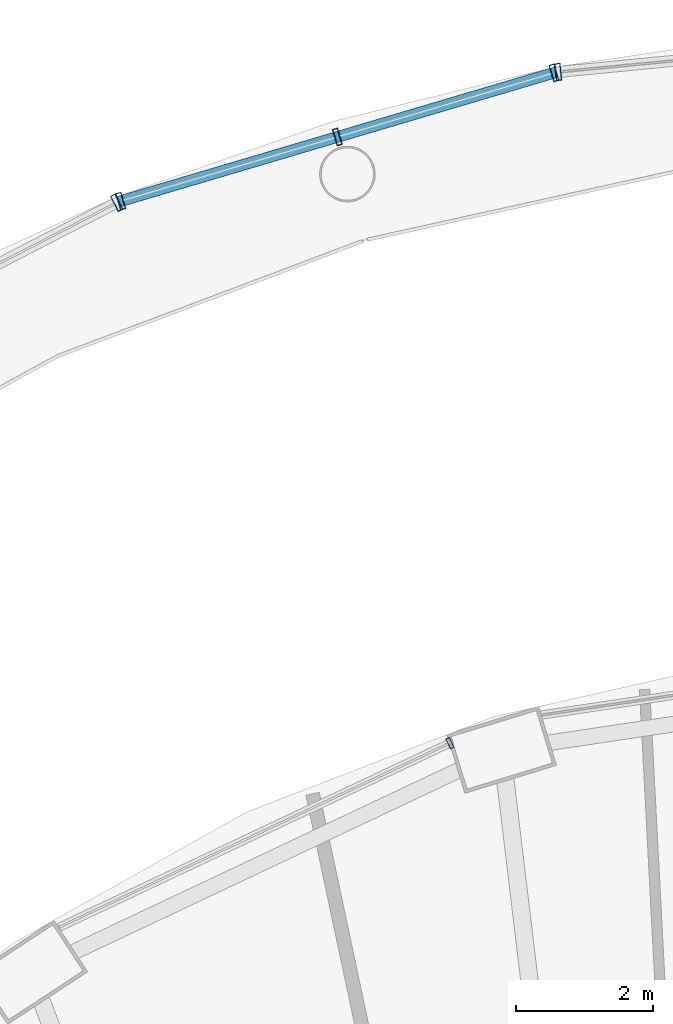
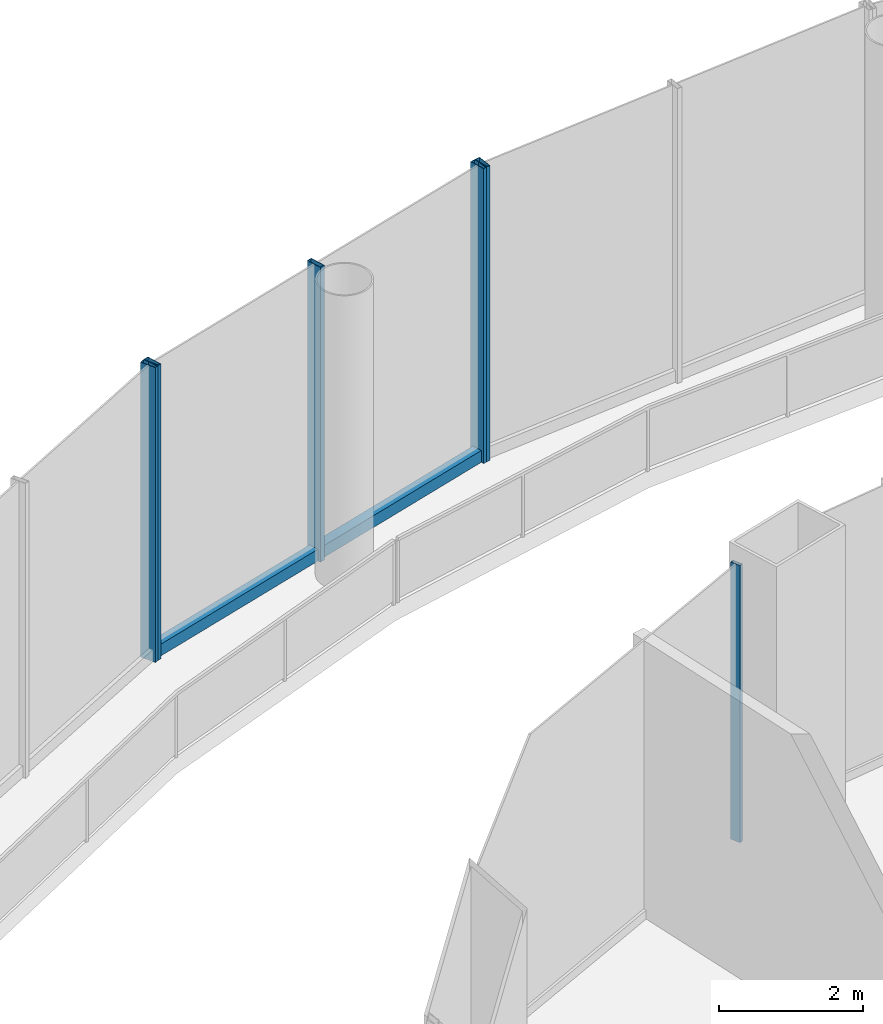
# One storey, part 32 of 48: 7 members, 4 elements without a shape of their own.
"""IFC4 building model written with IfcOpenShell, lengths in metres."""

from ifc_helpers import new_model, si_unit, direction, frame, origin, origin_2d, place, context, subcontext, project, spatial, hollow_rectangle, extrude, material, layer, layer_set, material_profile, profile_set, type_object, element, aggregate, save


model = new_model("IFC4")

# Units and contexts
model_context = context("Model", 3, precision=1e-05, world=origin(), true_north=direction((0.0, 1.0)))
body_context = subcontext(model_context, "Body", "Model", "MODEL_VIEW")
ifc_project = project(units=[si_unit("LENGTHUNIT", "METRE"), si_unit("AREAUNIT", "SQUARE_METRE"), si_unit("VOLUMEUNIT", "CUBIC_METRE"), si_unit("PLANEANGLEUNIT", "RADIAN"), si_unit("MASSUNIT", "GRAM", prefix="KILO")], contexts=[model_context])

# Site, building, storey
site_placement = place(None, origin())
site = spatial("IfcSite", under=ifc_project, at=site_placement, CompositionType="ELEMENT")
building_placement = place(site_placement, origin())
building = spatial("IfcBuilding", under=site, at=building_placement, Name="Nagisa Residences", CompositionType="ELEMENT")
storey_placement = place(building_placement, frame((0.0, 0.0, 12.0)))
storey = spatial("IfcBuildingStorey", under=building, at=storey_placement, Name="L02", CompositionType="ELEMENT", Elevation=12.0)

# Curtain wall, member
ifc_material_1 = material(Name="Stainless steel curtain wall system", Category="steel")
ifc_layer_1 = layer(ifc_material_1, 0.159912109375)
ifc_layer_set_1 = layer_set([ifc_layer_1], Name="CW3 CURTAIN WALL")
curtain_wall_type_1 = type_object("IfcCurtainWallType", Name="CW3 CURTAIN WALL", PredefinedType="NOTDEFINED", material=ifc_layer_set_1)
curtain_wall_1_placement = place(storey_placement, origin())
curtain_wall_1 = element("IfcCurtainWall", 1, at=curtain_wall_1_placement, inside=storey, type_object=curtain_wall_type_1, Name="cw:CW3:L02:09", PredefinedType="NOTDEFINED")
ifc_material_2 = material(Name="Stainless steel", Category="steel")
ifc_material_profile_1 = material_profile(ifc_material_2, hollow_rectangle(XDim=0.25, YDim=0.080078125, WallThickness=0.008056640625, at=origin_2d()), Name="CW3 MULLION 250x80")
ifc_profile_set_1 = profile_set([ifc_material_profile_1], Name="Stainless steel")
member_type_1 = type_object("IfcMemberType", Name="CW3 MULLION 250x80", PredefinedType="MULLION", material=ifc_profile_set_1)
member_1_placement = place(storey_placement, frame((-2.951171875, 41.2861328125, 0.0), z_axis=(0.0, 0.0, 1.0), x_axis=(0.096249055035, -0.995357282289, 0.0)))
member_1 = element("IfcMember", 2, at=member_1_placement, type_object=member_type_1, Name="CW3 mullion", PredefinedType="MULLION", context=body_context, shape_type="SweptSolid", body=[
    extrude(hollow_rectangle(XDim=0.25, YDim=0.080078125, WallThickness=0.008056640625, at=origin_2d()), origin(), (0.0, 0.0, 1.0), 5.0),
])
aggregate(curtain_wall_1, [member_1])

# Curtain wall, members
curtain_wall_2_placement = place(storey_placement, origin())
curtain_wall_2 = element("IfcCurtainWall", 3, at=curtain_wall_2_placement, inside=storey, type_object=curtain_wall_type_1, Name="cw:CW3:L02:10", PredefinedType="NOTDEFINED")
member_2_placement = place(storey_placement, frame((-3.01416015625, 41.27392578125, 0.0), z_axis=(0.0, 0.0, 1.0), x_axis=(0.283963226669, -0.958835171393, 0.0)))
member_2 = element("IfcMember", 4, at=member_2_placement, type_object=member_type_1, Name="CW3 mullion", PredefinedType="MULLION", context=body_context, shape_type="SweptSolid", body=[
    extrude(hollow_rectangle(XDim=0.25, YDim=0.080078125, WallThickness=0.008056640625, at=origin_2d()), origin(), (0.0, 0.0, 1.0), 5.0),
])
member_3_placement = place(storey_placement, frame((-6.175048828125, 40.337890625, 0.0), z_axis=(0.0, 0.0, 1.0), x_axis=(0.283963226669, -0.958835171393, 0.0)))
member_3 = element("IfcMember", 5, at=member_3_placement, type_object=member_type_1, Name="CW3 mullion", PredefinedType="MULLION", context=body_context, shape_type="SweptSolid", body=[
    extrude(hollow_rectangle(XDim=0.25, YDim=0.080078125, WallThickness=0.008056640625, at=origin_2d()), origin(), (0.0, 0.0, 1.0), 5.0),
])
member_4_placement = place(storey_placement, frame((-9.335693359375, 39.40185546875, 0.0), z_axis=(0.0, 0.0, 1.0), x_axis=(0.283963226669, -0.958835171393, 0.0)))
member_4 = element("IfcMember", 6, at=member_4_placement, type_object=member_type_1, Name="CW3 mullion", PredefinedType="MULLION", context=body_context, shape_type="SweptSolid", body=[
    extrude(hollow_rectangle(XDim=0.25, YDim=0.080078125, WallThickness=0.008056640625, at=origin_2d()), origin(), (0.0, 0.0, 1.0), 5.0),
])

# Curtain wall, member
curtain_wall_3_placement = place(storey_placement, origin())
curtain_wall_3 = element("IfcCurtainWall", 7, at=curtain_wall_3_placement, inside=storey, type_object=curtain_wall_type_1, Name="cw:CW3:L02:11", PredefinedType="NOTDEFINED")
member_5_placement = place(storey_placement, frame((-9.395751953125, 39.377685546875, 0.0), z_axis=(0.0, 0.0, 1.0), x_axis=(0.45812598783, -0.888887270285, 0.0)))
member_5 = element("IfcMember", 8, at=member_5_placement, type_object=member_type_1, Name="CW3 mullion", PredefinedType="MULLION", context=body_context, shape_type="SweptSolid", body=[
    extrude(hollow_rectangle(XDim=0.25, YDim=0.080078125, WallThickness=0.008056640625, at=origin_2d()), origin(), (0.0, 0.0, 1.0), 5.0),
])
aggregate(curtain_wall_3, [member_5])

# Member
ifc_material_3 = material(Name="Stainless steel", Category="steel")
ifc_material_profile_2 = material_profile(ifc_material_3, hollow_rectangle(XDim=0.159912109375, YDim=0.199951171875, WallThickness=0.008056640625, at=origin_2d()), Name="CW3 TRANSOM 160x200")
ifc_profile_set_2 = profile_set([ifc_material_profile_2], Name="Stainless steel")
member_type_2 = type_object("IfcMemberType", Name="CW3 TRANSOM 160x200", PredefinedType="USERDEFINED", material=ifc_profile_set_2)
member_6_placement = place(storey_placement, frame((-2.975830078125, 41.28515625, 0.10009765625), z_axis=(-0.958838335071, -0.283952543919, 0.0), x_axis=(0.283952543919, -0.958838335071, 0.0)))
member_6 = element("IfcMember", 9, at=member_6_placement, type_object=member_type_2, Name="CW3 transom", ObjectType="TRANSOM", PredefinedType="USERDEFINED", context=body_context, shape_type="SweptSolid", body=[
    extrude(hollow_rectangle(XDim=0.159912109375, YDim=0.199951171875, WallThickness=0.008056640625, at=origin_2d()), origin(), (0.0, 0.0, 1.0), 6.6728515625),
])

aggregate(curtain_wall_2, [member_2, member_3, member_4, member_6])

# Curtain wall, member
ifc_material_4 = material(Name="Stainless steel curtain wall system", Category="steel")
ifc_layer_2 = layer(ifc_material_4, 0.159912109375)
ifc_layer_set_2 = layer_set([ifc_layer_2], Name="CW6 CURTAIN WALL")
curtain_wall_type_2 = type_object("IfcCurtainWallType", Name="CW6 CURTAIN WALL", PredefinedType="NOTDEFINED", material=ifc_layer_set_2)
curtain_wall_4_placement = place(storey_placement, origin())
curtain_wall_4 = element("IfcCurtainWall", 10, at=curtain_wall_4_placement, inside=storey, type_object=curtain_wall_type_2, Name="cw:CW6:L02:14", PredefinedType="NOTDEFINED")
ifc_material_5 = material(Name="Stainless steel", Category="steel")
ifc_material_profile_3 = material_profile(ifc_material_5, hollow_rectangle(XDim=0.159912109375, YDim=0.06005859375, WallThickness=0.006103515625, at=origin_2d()), Name="CW6 MULLION 160x60")
ifc_profile_set_3 = profile_set([ifc_material_profile_3], Name="Stainless steel")
member_type_3 = type_object("IfcMemberType", Name="CW6 MULLION 160x60", PredefinedType="MULLION", material=ifc_profile_set_3)
member_7_placement = place(storey_placement, frame((-4.531982421875, 31.491943359375, 0.0), z_axis=(0.0, 0.0, 1.0), x_axis=(0.426358467603, -0.904554286432, 0.0)))
member_7 = element("IfcMember", 11, at=member_7_placement, type_object=member_type_3, Name="CW6 mullion", PredefinedType="MULLION", context=body_context, shape_type="SweptSolid", body=[
    extrude(hollow_rectangle(XDim=0.159912109375, YDim=0.06005859375, WallThickness=0.006103515625, at=origin_2d()), origin(), (0.0, 0.0, 1.0), 4.699951171875),
])
aggregate(curtain_wall_4, [member_7])

save(model, "model.ifc")
